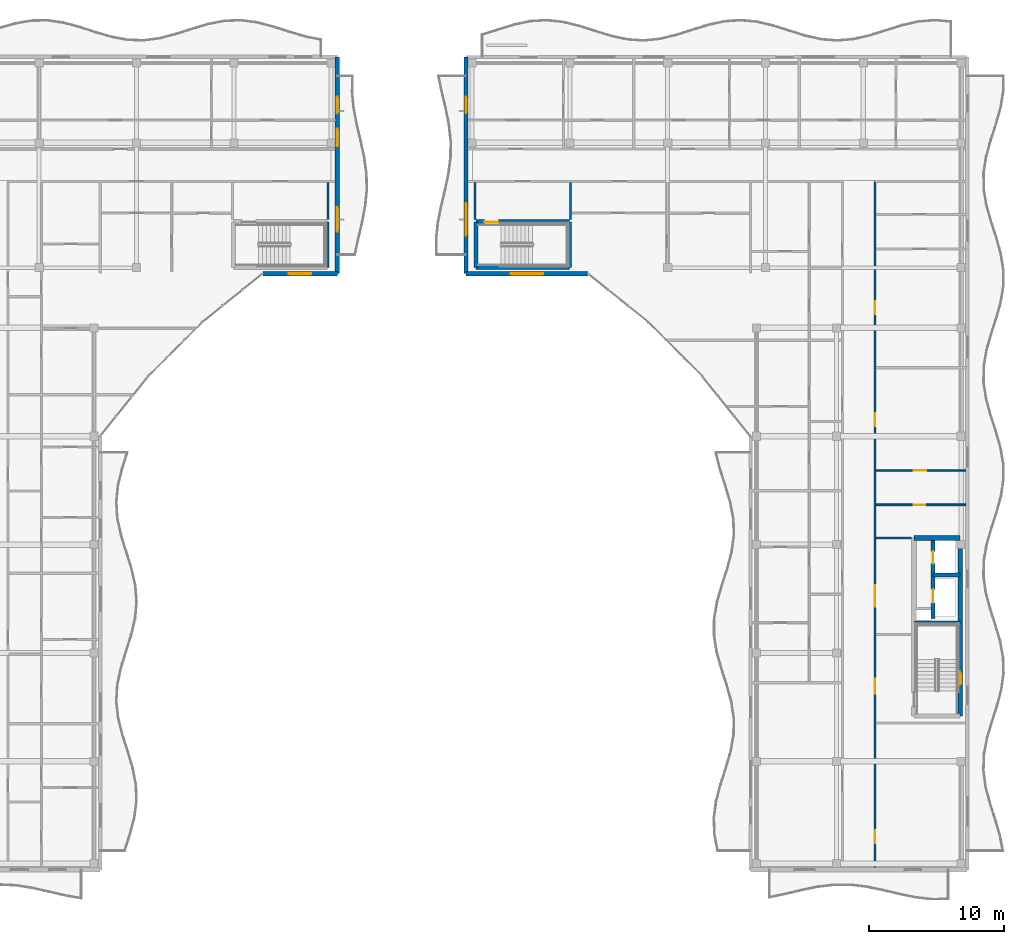
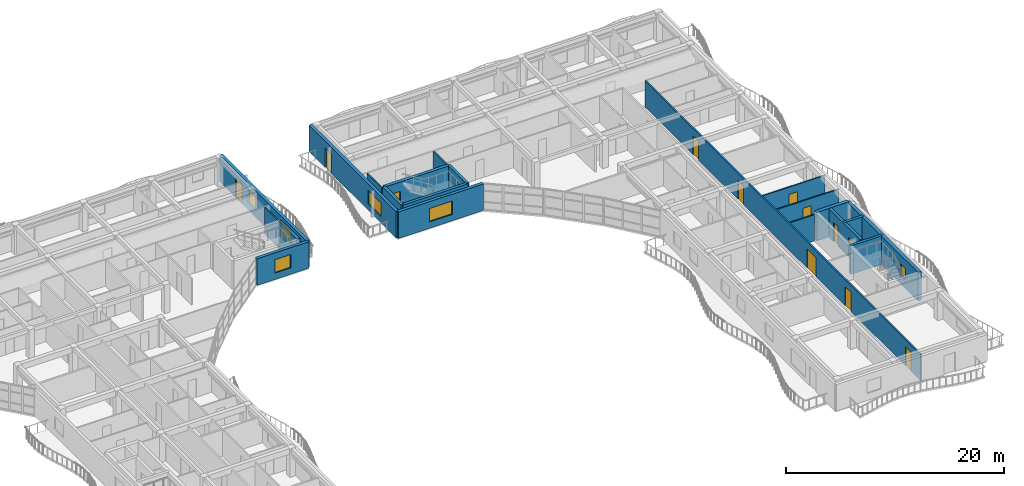
# One storey, part 43 of 71: 21 walls, 12 doors, 6 windows, 18 openings.
"""IFC4 building model written with IfcOpenShell, lengths in metres."""

from ifc_helpers import new_model, si_unit, direction, frame, frame_2d, origin, place, context, subcontext, project, spatial, rectangle, extrude, material, layer, layer_set, type_object, element, fill, save


model = new_model("IFC4")

# Units and contexts
model_context = context("Model", 3, precision=1e-05, world=origin(), true_north=direction((0.0, 1.0)))
body_context = subcontext(model_context, "Body", "Model", "MODEL_VIEW")
ifc_project = project(units=[si_unit("LENGTHUNIT", "METRE"), si_unit("AREAUNIT", "SQUARE_METRE"), si_unit("VOLUMEUNIT", "CUBIC_METRE"), si_unit("PLANEANGLEUNIT", "RADIAN"), si_unit("MASSUNIT", "GRAM", prefix="KILO")], contexts=[model_context])

# Site, building, storey
site_placement = place(None, origin())
site = spatial("IfcSite", under=ifc_project, at=site_placement, CompositionType="ELEMENT")
building_placement = place(site_placement, origin())
building = spatial("IfcBuilding", under=site, at=building_placement, Name="Keldmere Railside Commons", CompositionType="ELEMENT")
storey_placement = place(building_placement, frame((0.0, 0.0, 20.159912109375)))
storey = spatial("IfcBuildingStorey", under=building, at=storey_placement, Name="L06", CompositionType="ELEMENT", Elevation=20.159912109375)

# Wall, opening, door
ifc_material_1 = material(Name="Acoustic Gypsum Board Partition", Category="gypsum")
ifc_layer_1 = layer(ifc_material_1, 0.1201171875, Name="Apartment Interior Partition 120")
ifc_layer_set_1 = layer_set([ifc_layer_1], Name="Acoustic Gypsum Board Partition")
wall_type_1 = type_object("IfcWallType", Name="Apartment Interior Partition 120", PredefinedType="PARTITIONING", material=ifc_layer_set_1)
wall_1_placement = place(storey_placement, frame((177.280029296875, 85.47998046875, 0.0), z_axis=(0.0, 0.0, 1.0), x_axis=(1.0, 0.0, 0.0)))
wall_1 = element("IfcWall", 1, at=wall_1_placement, inside=storey, type_object=wall_type_1, Name="IW-4 IW-L06-1676", PredefinedType="PARTITIONING", context=body_context, shape_type="SweptSolid", body=[
    extrude(rectangle(XDim=6.599853515625, YDim=0.1201171875, at=frame_2d((3.2998046875, 0.0))), origin(), (0.0, 0.0, 1.0), 2.93505859375),
])
opening_1_placement = place(wall_1_placement, frame((2.77197265625, 0.0, 0.0)))
opening_1 = element("IfcOpeningElement", 2, at=opening_1_placement, cuts=wall_1, Name="Opening ID-03", PredefinedType="OPENING", context=body_context, shape_type="SweptSolid", body=[
    extrude(rectangle(XDim=0.919921875, YDim=2.10009765625, at=frame_2d((0.4599609375, 1.050048828125))), frame((0.0, 0.070068359375, 0.0), z_axis=(0.0, -1.0, 0.0), x_axis=(1.0, 0.0, 0.0)), (0.0, 0.0, 1.0), 0.14013671875),
])
ifc_material_2 = material(Name="Engineered Oak Timber", Category="wood")
door_type_1 = type_object("IfcDoorType", Name="Kitchen Pocket-Frame Swing Door 920x2100", OperationType="NOTDEFINED", PredefinedType="DOOR", material=ifc_material_2)
door_1_placement = place(opening_1_placement, origin())
door_1 = element("IfcDoor", 3, at=door_1_placement, inside=storey, type_object=door_type_1, Name="ID-03 IDR-L06-1525", OperationType="SINGLE_SWING_LEFT", OverallHeight=2.10009765625, OverallWidth=0.919921875, PredefinedType="DOOR", context=body_context, shape_type="SweptSolid", body=[
    extrude(rectangle(XDim=0.919921875, YDim=2.10009765625, at=frame_2d((0.4599609375, 1.050048828125))), frame((0.0, 0.02490234375, 0.0), z_axis=(0.0, -1.0, 0.0), x_axis=(1.0, 0.0, 0.0)), (0.0, 0.0, 1.0), 0.050048828125),
])
fill(opening_1, door_1)

# Walls
ifc_material_3 = material(Name="Concrete H-35 (C35/45)", Category="concrete")
ifc_layer_2 = layer(ifc_material_3, 0.280029296875, Name="Core Shear Wall 280")
ifc_layer_set_2 = layer_set([ifc_layer_2], Name="Concrete H-35 (C35/45)")
wall_type_2 = type_object("IfcWallType", Name="Core Shear Wall 280", PredefinedType="SHEAR", material=ifc_layer_set_2)
wall_2_placement = place(storey_placement, frame((180.06005859375, 74.239990234375, 0.0), z_axis=(0.0, 0.0, 1.0), x_axis=(1.0, 0.0, 0.0)))
element("IfcWall", 4, at=wall_2_placement, inside=storey, type_object=wall_type_2, Name="CSW-2 COREAM-L06-0784", PredefinedType="SHEAR", context=body_context, shape_type="SweptSolid", body=[
    extrude(rectangle(XDim=3.409912109375, YDim=0.280029296875, at=frame_2d((1.705078125, 0.0))), origin(), (0.0, 0.0, 1.0), 3.2001953125),
])
wall_3_placement = place(storey_placement, frame((181.469970703125, 77.75, 0.0), z_axis=(0.0, 0.0, 1.0), x_axis=(1.0, 0.0, 0.0)))
element("IfcWall", 5, at=wall_3_placement, inside=storey, type_object=wall_type_2, Name="CSW-2 COREAL-L06-0785", PredefinedType="SHEAR", context=body_context, shape_type="SweptSolid", body=[
    extrude(rectangle(XDim=2.0, YDim=0.280029296875, at=frame_2d((1.0, 0.0))), origin(), (0.0, 0.0, 1.0), 3.2001953125),
])

# Wall, openings, doors
wall_4_placement = place(storey_placement, frame((181.469970703125, 74.550048828125, 0.0), z_axis=(0.0, 0.0, 1.0), x_axis=(0.0, 1.0, 0.0)))
wall_4 = element("IfcWall", 6, at=wall_4_placement, inside=storey, type_object=wall_type_2, Name="CSW-2 LSHA-L06-0786", PredefinedType="SHEAR", context=body_context, shape_type="SweptSolid", body=[
    extrude(rectangle(XDim=5.949951171875, YDim=0.280029296875, at=frame_2d((2.97509765625, 0.0))), origin(), (0.0, 0.0, 1.0), 3.2001953125),
])
opening_2_placement = place(wall_4_placement, frame((1.14990234375, 0.0, 0.0)))
opening_2 = element("IfcOpeningElement", 7, at=opening_2_placement, cuts=wall_4, Name="Opening LD-1", PredefinedType="OPENING", context=body_context, shape_type="SweptSolid", body=[
    extrude(rectangle(XDim=1.0, YDim=2.14990234375, at=frame_2d((0.5, 1.074951171875))), frame((0.0, 0.14990234375, 0.0), z_axis=(0.0, -1.0, 0.0), x_axis=(1.0, 0.0, 0.0)), (0.0, 0.0, 1.0), 0.300048828125),
])
opening_3_placement = place(wall_4_placement, frame((4.050048828125, 0.0, 0.0)))
opening_3 = element("IfcOpeningElement", 8, at=opening_3_placement, cuts=wall_4, Name="Opening LD-2", PredefinedType="OPENING", context=body_context, shape_type="SweptSolid", body=[
    extrude(rectangle(XDim=0.89990234375, YDim=2.14990234375, at=frame_2d((0.449951171875, 1.074951171875))), frame((0.0, 0.14990234375, 0.0), z_axis=(0.0, -1.0, 0.0), x_axis=(1.0, 0.0, 0.0)), (0.0, 0.0, 1.0), 0.300048828125),
])
ifc_material_4 = material(Name="Steel F-24 (S235)", Category="steel")
door_type_2 = type_object("IfcDoorType", Name="Firefighting Stretcher Lift Landing Door 1000x2150", OperationType="SLIDING_TO_LEFT", PredefinedType="DOOR", material=ifc_material_4)
door_2_placement = place(opening_2_placement, origin())
door_2 = element("IfcDoor", 9, at=door_2_placement, inside=storey, type_object=door_type_2, Name="LD-1 A L06", OperationType="SLIDING_TO_LEFT", OverallHeight=2.14990234375, OverallWidth=1.0, PredefinedType="DOOR", context=body_context, shape_type="SweptSolid", body=[
    extrude(rectangle(XDim=1.0, YDim=2.14990234375, at=frame_2d((0.5, 1.074951171875))), frame((0.0, 0.02490234375, 0.0), z_axis=(0.0, -1.0, 0.0), x_axis=(1.0, 0.0, 0.0)), (0.0, 0.0, 1.0), 0.050048828125),
])
fill(opening_2, door_2)
door_type_3 = type_object("IfcDoorType", Name="Passenger Lift Sliding Landing Door 900x2150", OperationType="SLIDING_TO_RIGHT", PredefinedType="DOOR", material=ifc_material_4)
door_3_placement = place(opening_3_placement, origin())
door_3 = element("IfcDoor", 10, at=door_3_placement, inside=storey, type_object=door_type_3, Name="LD-2 A L06", OperationType="SLIDING_TO_RIGHT", OverallHeight=2.14990234375, OverallWidth=0.89990234375, PredefinedType="DOOR", context=body_context, shape_type="SweptSolid", body=[
    extrude(rectangle(XDim=0.89990234375, YDim=2.14990234375, at=frame_2d((0.449951171875, 1.074951171875))), frame((0.0, 0.02490234375, 0.0), z_axis=(0.0, -1.0, 0.0), x_axis=(1.0, 0.0, 0.0)), (0.0, 0.0, 1.0), 0.050048828125),
])
fill(opening_3, door_3)

# Wall
ifc_material_5 = material(Name="Concrete H-40 (C40/50)", Category="concrete")
ifc_layer_3 = layer(ifc_material_5, 0.3798828125, Name="Core Shear Wall 380")
ifc_layer_set_3 = layer_set([ifc_layer_3], Name="Concrete H-40 (C40/50)")
wall_type_3 = type_object("IfcWallType", Name="Core Shear Wall 380", PredefinedType="SHEAR", material=ifc_layer_set_3)
wall_5_placement = place(storey_placement, frame((180.06005859375, 80.5, 0.0), z_axis=(0.0, 0.0, 1.0), x_axis=(1.0, 0.0, 0.0)))
element("IfcWall", 11, at=wall_5_placement, inside=storey, type_object=wall_type_3, Name="CW-CORE COREAN-L06-0781", PredefinedType="SHEAR", context=body_context, shape_type="SweptSolid", body=[
    extrude(rectangle(XDim=3.409912109375, YDim=0.3798828125, at=frame_2d((1.705078125, 0.0))), origin(), (0.0, 0.0, 1.0), 3.2001953125),
])

# Wall, openings, doors
ifc_layer_4 = layer(ifc_material_1, 0.159912109375, Name="Corridor Fire Partition 160")
ifc_layer_set_4 = layer_set([ifc_layer_4], Name="Acoustic Gypsum Board Partition")
wall_type_4 = type_object("IfcWallType", Name="Corridor Fire Partition 160", PredefinedType="PARTITIONING", material=ifc_layer_set_4)
wall_6_placement = place(storey_placement, frame((177.199951171875, 56.159912109375, 0.0), z_axis=(0.0, 0.0, 1.0), x_axis=(0.0, 1.0, 0.0)))
wall_6 = element("IfcWall", 12, at=wall_6_placement, inside=storey, type_object=wall_type_4, Name="IW-2 IW-L06-1640", PredefinedType="PARTITIONING", context=body_context, shape_type="SweptSolid", body=[
    extrude(rectangle(XDim=50.64013671875, YDim=0.159912109375, at=frame_2d((25.320068359375, 0.0))), origin(), (0.0, 0.0, 1.0), 2.93505859375),
])
opening_4_placement = place(wall_6_placement, frame((12.840087890625, 0.0, 0.0)))
opening_4 = element("IfcOpeningElement", 13, at=opening_4_placement, cuts=wall_6, Name="Opening FD-2", PredefinedType="OPENING", context=body_context, shape_type="SweptSolid", body=[
    extrude(rectangle(XDim=1.10009765625, YDim=2.14990234375, at=frame_2d((0.550048828125, 1.074951171875))), frame((0.0, 0.08984375, 0.0), z_axis=(0.0, -1.0, 0.0), x_axis=(1.0, 0.0, 0.0)), (0.0, 0.0, 1.0), 0.179931640625),
])
opening_5_placement = place(wall_6_placement, frame((19.239990234375, 0.0, 0.0)))
opening_5 = element("IfcOpeningElement", 14, at=opening_5_placement, cuts=wall_6, Name="Opening FD-4", PredefinedType="OPENING", context=body_context, shape_type="SweptSolid", body=[
    extrude(rectangle(XDim=1.60009765625, YDim=2.14990234375, at=frame_2d((0.800048828125, 1.074951171875))), frame((0.0, 0.08984375, 0.0), z_axis=(0.0, -1.0, 0.0), x_axis=(1.0, 0.0, 0.0)), (0.0, 0.0, 1.0), 0.179931640625),
])
opening_6_placement = place(wall_6_placement, frame((1.800048828125, 0.0, 0.0)))
opening_6 = element("IfcOpeningElement", 15, at=opening_6_placement, cuts=wall_6, Name="Opening ID-08", PredefinedType="OPENING", context=body_context, shape_type="SweptSolid", body=[
    extrude(rectangle(XDim=0.9599609375, YDim=2.14990234375, at=frame_2d((0.47998046875, 1.074951171875))), frame((0.0, 0.08984375, 0.0), z_axis=(0.0, -1.0, 0.0), x_axis=(1.0, 0.0, 0.0)), (0.0, 0.0, 1.0), 0.179931640625),
])
opening_7_placement = place(wall_6_placement, frame((32.570068359375, 0.0, 0.0)))
opening_7 = element("IfcOpeningElement", 16, at=opening_7_placement, cuts=wall_6, Name="Opening FD-7", PredefinedType="OPENING", context=body_context, shape_type="SweptSolid", body=[
    extrude(rectangle(XDim=0.97998046875, YDim=2.14990234375, at=frame_2d((0.489990234375, 1.074951171875))), frame((0.0, 0.08984375, 0.0), z_axis=(0.0, -1.0, 0.0), x_axis=(1.0, 0.0, 0.0)), (0.0, 0.0, 1.0), 0.179931640625),
])
opening_8_placement = place(wall_6_placement, frame((40.830078125, 0.0, 0.0)))
opening_8 = element("IfcOpeningElement", 17, at=opening_8_placement, cuts=wall_6, Name="Opening FD-7", PredefinedType="OPENING", context=body_context, shape_type="SweptSolid", body=[
    extrude(rectangle(XDim=0.97998046875, YDim=2.14990234375, at=frame_2d((0.489990234375, 1.074951171875))), frame((0.0, 0.08984375, 0.0), z_axis=(0.0, -1.0, 0.0), x_axis=(1.0, 0.0, 0.0)), (0.0, 0.0, 1.0), 0.179931640625),
])
door_type_4 = type_object("IfcDoorType", Name="Apartment Entrance Acoustic Fire Door 980x2150", OperationType="NOTDEFINED", PredefinedType="DOOR", material=ifc_material_2)
door_4_placement = place(opening_7_placement, origin())
door_4 = element("IfcDoor", 18, at=door_4_placement, inside=storey, type_object=door_type_4, Name="FD-7 IDR-L06-1526", OperationType="SINGLE_SWING_RIGHT", OverallHeight=2.14990234375, OverallWidth=0.97998046875, PredefinedType="DOOR", context=body_context, shape_type="SweptSolid", body=[
    extrude(rectangle(XDim=0.97998046875, YDim=2.14990234375, at=frame_2d((0.489990234375, 1.074951171875))), frame((0.0, 0.02490234375, 0.0), z_axis=(0.0, -1.0, 0.0), x_axis=(1.0, 0.0, 0.0)), (0.0, 0.0, 1.0), 0.050048828125),
])
fill(opening_7, door_4)
door_5_placement = place(opening_8_placement, origin())
door_5 = element("IfcDoor", 19, at=door_5_placement, inside=storey, type_object=door_type_4, Name="FD-7 IDR-L06-1529", OperationType="SINGLE_SWING_LEFT", OverallHeight=2.14990234375, OverallWidth=0.97998046875, PredefinedType="DOOR", context=body_context, shape_type="SweptSolid", body=[
    extrude(rectangle(XDim=0.97998046875, YDim=2.14990234375, at=frame_2d((0.489990234375, 1.074951171875))), frame((0.0, 0.02490234375, 0.0), z_axis=(0.0, -1.0, 0.0), x_axis=(1.0, 0.0, 0.0)), (0.0, 0.0, 1.0), 0.050048828125),
])
fill(opening_8, door_5)
door_type_5 = type_object("IfcDoorType", Name="Corridor Cross-Compartment Double Fire Door 1600x2150", OperationType="DOUBLE_DOOR_SINGLE_SWING", PredefinedType="DOOR", material=ifc_material_4)
door_6_placement = place(opening_5_placement, origin())
door_6 = element("IfcDoor", 20, at=door_6_placement, inside=storey, type_object=door_type_5, Name="FD-4 IDR-L06-1489", OperationType="DOUBLE_DOOR_SINGLE_SWING", OverallHeight=2.14990234375, OverallWidth=1.60009765625, PredefinedType="DOOR", context=body_context, shape_type="SweptSolid", body=[
    extrude(rectangle(XDim=1.60009765625, YDim=2.14990234375, at=frame_2d((0.800048828125, 1.074951171875))), frame((0.0, 0.02490234375, 0.0), z_axis=(0.0, -1.0, 0.0), x_axis=(1.0, 0.0, 0.0)), (0.0, 0.0, 1.0), 0.050048828125),
])
fill(opening_5, door_6)
door_type_6 = type_object("IfcDoorType", Name="Firefighting Lobby Fire Door 1100x2150", OperationType="NOTDEFINED", PredefinedType="DOOR", material=ifc_material_4)
door_7_placement = place(opening_4_placement, origin())
door_7 = element("IfcDoor", 21, at=door_7_placement, inside=storey, type_object=door_type_6, Name="FD-2 IDR-L06-1488", OperationType="SINGLE_SWING_RIGHT", OverallHeight=2.14990234375, OverallWidth=1.10009765625, PredefinedType="DOOR", context=body_context, shape_type="SweptSolid", body=[
    extrude(rectangle(XDim=1.10009765625, YDim=2.14990234375, at=frame_2d((0.550048828125, 1.074951171875))), frame((0.0, 0.02490234375, 0.0), z_axis=(0.0, -1.0, 0.0), x_axis=(1.0, 0.0, 0.0)), (0.0, 0.0, 1.0), 0.050048828125),
])
fill(opening_4, door_7)
door_type_7 = type_object("IfcDoorType", Name="Study & Meeting Room Door 960x2150", OperationType="NOTDEFINED", PredefinedType="DOOR", material=ifc_material_2)
door_8_placement = place(opening_6_placement, origin())
door_8 = element("IfcDoor", 22, at=door_8_placement, inside=storey, type_object=door_type_7, Name="ID-08 IDR-L06-1523", OperationType="SINGLE_SWING_LEFT", OverallHeight=2.14990234375, OverallWidth=0.9599609375, PredefinedType="DOOR", context=body_context, shape_type="SweptSolid", body=[
    extrude(rectangle(XDim=0.9599609375, YDim=2.14990234375, at=frame_2d((0.47998046875, 1.074951171875))), frame((0.0, 0.02490234375, 0.0), z_axis=(0.0, -1.0, 0.0), x_axis=(1.0, 0.0, 0.0)), (0.0, 0.0, 1.0), 0.050048828125),
])
fill(opening_6, door_8)

# Wall, opening, window
ifc_layer_5 = layer(ifc_material_3, 0.320068359375, Name="Exterior Shear Wall 320")
ifc_layer_set_5 = layer_set([ifc_layer_5], Name="Concrete H-35 (C35/45)")
wall_type_5 = type_object("IfcWallType", Name="Exterior Shear Wall 320", PredefinedType="SHEAR", material=ifc_layer_set_5)
wall_7_placement = place(storey_placement, frame((137.5, 100.0, 0.0), z_axis=(0.0, 0.0, 1.0), x_axis=(-1.0, 0.0, 0.0)))
wall_7 = element("IfcWall", 23, at=wall_7_placement, inside=storey, type_object=wall_type_5, Name="ESW-2 EXTB-L06-0631", PredefinedType="SHEAR", context=body_context, shape_type="SweptSolid", body=[
    extrude(rectangle(XDim=5.5, YDim=0.320068359375, at=frame_2d((2.75, 0.0))), origin(), (0.0, 0.0, 1.0), 2.97998046875),
])
opening_9_placement = place(wall_7_placement, frame((1.909912109375, 0.0, 0.719970703125)))
opening_9 = element("IfcOpeningElement", 24, at=opening_9_placement, cuts=wall_7, Name="Opening WN-40", PredefinedType="OPENING", context=body_context, shape_type="SweptSolid", body=[
    extrude(rectangle(XDim=1.679931640625, YDim=1.5, at=frame_2d((0.83984375, 0.75))), frame((0.0, 0.169921875, 0.0), z_axis=(0.0, -1.0, 0.0), x_axis=(1.0, 0.0, 0.0)), (0.0, 0.0, 1.0), 0.340087890625),
])
ifc_material_6 = material(Name="Low-E Insulated Double Glazing", Category="glass")
window_type_1 = type_object("IfcWindowType", Name="Two-Bed Dining Casement Window 1680x1500", PartitioningType="SINGLE_PANEL", PredefinedType="WINDOW", material=ifc_material_6)
window_1_placement = place(opening_9_placement, origin())
window_1 = element("IfcWindow", 25, at=window_1_placement, inside=storey, type_object=window_type_1, Name="WN-40 WIN-L06-0460", OverallHeight=1.5, OverallWidth=1.679931640625, PartitioningType="SINGLE_PANEL", PredefinedType="WINDOW", context=body_context, shape_type="SweptSolid", body=[
    extrude(rectangle(XDim=1.679931640625, YDim=1.5, at=frame_2d((0.83984375, 0.75))), frame((0.0, 0.030029296875, 0.0), z_axis=(0.0, -1.0, 0.0), x_axis=(1.0, 0.0, 0.0)), (0.0, 0.0, 1.0), 0.06005859375),
])
fill(opening_9, window_1)

# Wall, openings, door, windows
wall_8_placement = place(storey_placement, frame((137.5, 116.0, 0.0), z_axis=(0.0, 0.0, 1.0), x_axis=(0.0, -1.0, 0.0)))
wall_8 = element("IfcWall", 26, at=wall_8_placement, inside=storey, type_object=wall_type_5, Name="ESW-2 EXTB-L06-0632", PredefinedType="SHEAR", context=body_context, shape_type="SweptSolid", body=[
    extrude(rectangle(XDim=16.0, YDim=0.320068359375, at=frame_2d((8.0, 0.0))), origin(), (0.0, 0.0, 1.0), 2.97998046875),
])
opening_10_placement = place(wall_8_placement, frame((2.949951171875, 0.0, 0.0)))
opening_10 = element("IfcOpeningElement", 27, at=opening_10_placement, cuts=wall_8, Name="Opening BD-01", PredefinedType="OPENING", context=body_context, shape_type="SweptSolid", body=[
    extrude(rectangle(XDim=1.199951171875, YDim=2.199951171875, at=frame_2d((0.60009765625, 1.10009765625))), frame((0.0, 0.169921875, 0.0), z_axis=(0.0, -1.0, 0.0), x_axis=(1.0, 0.0, 0.0)), (0.0, 0.0, 1.0), 0.340087890625),
])
opening_11_placement = place(wall_8_placement, frame((5.300048828125, 0.0, 0.820068359375)))
opening_11 = element("IfcOpeningElement", 28, at=opening_11_placement, cuts=wall_8, Name="Opening WN-10", PredefinedType="OPENING", context=body_context, shape_type="SweptSolid", body=[
    extrude(rectangle(XDim=1.300048828125, YDim=1.39990234375, at=frame_2d((0.64990234375, 0.699951171875))), frame((0.0, 0.169921875, 0.0), z_axis=(0.0, -1.0, 0.0), x_axis=(1.0, 0.0, 0.0)), (0.0, 0.0, 1.0), 0.340087890625),
])
opening_12_placement = place(wall_8_placement, frame((11.10009765625, 0.0, 0.719970703125)))
opening_12 = element("IfcOpeningElement", 29, at=opening_12_placement, cuts=wall_8, Name="Opening WN-01", PredefinedType="OPENING", context=body_context, shape_type="SweptSolid", body=[
    extrude(rectangle(XDim=1.800048828125, YDim=1.5, at=frame_2d((0.89990234375, 0.75))), frame((0.0, 0.169921875, 0.0), z_axis=(0.0, -1.0, 0.0), x_axis=(1.0, 0.0, 0.0)), (0.0, 0.0, 1.0), 0.340087890625),
])
ifc_material_7 = material(Name="Thermally Broken Aluminium", Category="aluminium")
door_type_8 = type_object("IfcDoorType", Name="Apartment Living Wave-Balcony Glazed Door 1200x2200", OperationType="NOTDEFINED", PredefinedType="DOOR", material=ifc_material_7)
door_9_placement = place(opening_10_placement, origin())
door_9 = element("IfcDoor", 30, at=door_9_placement, inside=storey, type_object=door_type_8, Name="BD-01 DR-L06-0170", OperationType="SINGLE_SWING_RIGHT", OverallHeight=2.199951171875, OverallWidth=1.199951171875, PredefinedType="DOOR", context=body_context, shape_type="SweptSolid", body=[
    extrude(rectangle(XDim=1.199951171875, YDim=2.199951171875, at=frame_2d((0.60009765625, 1.10009765625))), frame((0.0, 0.02490234375, 0.0), z_axis=(0.0, -1.0, 0.0), x_axis=(1.0, 0.0, 0.0)), (0.0, 0.0, 1.0), 0.050048828125),
])
fill(opening_10, door_9)
window_type_2 = type_object("IfcWindowType", Name="Living Room North Casement Window 1800x1500", PartitioningType="SINGLE_PANEL", PredefinedType="WINDOW", material=ifc_material_6)
window_2_placement = place(opening_12_placement, origin())
window_2 = element("IfcWindow", 31, at=window_2_placement, inside=storey, type_object=window_type_2, Name="WN-01 WIN-L06-0462", OverallHeight=1.5, OverallWidth=1.800048828125, PartitioningType="SINGLE_PANEL", PredefinedType="WINDOW", context=body_context, shape_type="SweptSolid", body=[
    extrude(rectangle(XDim=1.800048828125, YDim=1.5, at=frame_2d((0.89990234375, 0.75))), frame((0.0, 0.030029296875, 0.0), z_axis=(0.0, -1.0, 0.0), x_axis=(1.0, 0.0, 0.0)), (0.0, 0.0, 1.0), 0.06005859375),
])
fill(opening_12, window_2)
window_type_3 = type_object("IfcWindowType", Name="Secondary Bedroom Court Window 1300x1400", PartitioningType="SINGLE_PANEL", PredefinedType="WINDOW", material=ifc_material_6)
window_3_placement = place(opening_11_placement, origin())
window_3 = element("IfcWindow", 32, at=window_3_placement, inside=storey, type_object=window_type_3, Name="WN-10 WIN-L06-0461", OverallHeight=1.39990234375, OverallWidth=1.300048828125, PartitioningType="SINGLE_PANEL", PredefinedType="WINDOW", context=body_context, shape_type="SweptSolid", body=[
    extrude(rectangle(XDim=1.300048828125, YDim=1.39990234375, at=frame_2d((0.64990234375, 0.699951171875))), frame((0.0, 0.030029296875, 0.0), z_axis=(0.0, -1.0, 0.0), x_axis=(1.0, 0.0, 0.0)), (0.0, 0.0, 1.0), 0.06005859375),
])
fill(opening_11, window_3)

# Wall, openings, door, window
wall_9_placement = place(storey_placement, frame((147.0, 100.0, 0.0), z_axis=(0.0, 0.0, 1.0), x_axis=(0.0, 1.0, 0.0)))
wall_9 = element("IfcWall", 33, at=wall_9_placement, inside=storey, type_object=wall_type_5, Name="ESW-2 EXTA-L06-0920", PredefinedType="SHEAR", context=body_context, shape_type="SweptSolid", body=[
    extrude(rectangle(XDim=16.0, YDim=0.320068359375, at=frame_2d((8.0, 0.0))), origin(), (0.0, 0.0, 1.0), 2.97998046875),
])
opening_13_placement = place(wall_9_placement, frame((2.800048828125, 0.0, 0.719970703125)))
opening_13 = element("IfcOpeningElement", 34, at=opening_13_placement, cuts=wall_9, Name="Opening WN-05", PredefinedType="OPENING", context=body_context, shape_type="SweptSolid", body=[
    extrude(rectangle(XDim=2.39990234375, YDim=1.5, at=frame_2d((1.199951171875, 0.75))), frame((0.0, 0.169921875, 0.0), z_axis=(0.0, -1.0, 0.0), x_axis=(1.0, 0.0, 0.0)), (0.0, 0.0, 1.0), 0.340087890625),
])
opening_14_placement = place(wall_9_placement, frame((11.85009765625, 0.0, 0.0)))
opening_14 = element("IfcOpeningElement", 35, at=opening_14_placement, cuts=wall_9, Name="Opening BD-01", PredefinedType="OPENING", context=body_context, shape_type="SweptSolid", body=[
    extrude(rectangle(XDim=1.199951171875, YDim=2.199951171875, at=frame_2d((0.60009765625, 1.10009765625))), frame((0.0, 0.169921875, 0.0), z_axis=(0.0, -1.0, 0.0), x_axis=(1.0, 0.0, 0.0)), (0.0, 0.0, 1.0), 0.340087890625),
])
door_10_placement = place(opening_14_placement, origin())
door_10 = element("IfcDoor", 36, at=door_10_placement, inside=storey, type_object=door_type_8, Name="BD-01 DR-L06-0254", OperationType="SINGLE_SWING_RIGHT", OverallHeight=2.199951171875, OverallWidth=1.199951171875, PredefinedType="DOOR", context=body_context, shape_type="SweptSolid", body=[
    extrude(rectangle(XDim=1.199951171875, YDim=2.199951171875, at=frame_2d((0.60009765625, 1.10009765625))), frame((0.0, 0.02490234375, 0.0), z_axis=(0.0, -1.0, 0.0), x_axis=(1.0, 0.0, 0.0)), (0.0, 0.0, 1.0), 0.050048828125),
])
fill(opening_14, door_10)
window_type_4 = type_object("IfcWindowType", Name="Corner Dual-Aspect Ribbon Window 2400x1500", PartitioningType="SINGLE_PANEL", PredefinedType="WINDOW", material=ifc_material_6)
window_4_placement = place(opening_13_placement, origin())
window_4 = element("IfcWindow", 37, at=window_4_placement, inside=storey, type_object=window_type_4, Name="WN-05 WIN-L06-0695", OverallHeight=1.5, OverallWidth=2.39990234375, PartitioningType="SINGLE_PANEL", PredefinedType="WINDOW", context=body_context, shape_type="SweptSolid", body=[
    extrude(rectangle(XDim=2.39990234375, YDim=1.5, at=frame_2d((1.199951171875, 0.75))), frame((0.0, 0.030029296875, 0.0), z_axis=(0.0, -1.0, 0.0), x_axis=(1.0, 0.0, 0.0)), (0.0, 0.0, 1.0), 0.06005859375),
])
fill(opening_13, window_4)

# Wall, opening, window
wall_10_placement = place(storey_placement, frame((156.0, 100.0, 0.0), z_axis=(0.0, 0.0, 1.0), x_axis=(-1.0, 0.0, 0.0)))
wall_10 = element("IfcWall", 38, at=wall_10_placement, inside=storey, type_object=wall_type_5, Name="ESW-2 EXTA-L06-0921", PredefinedType="SHEAR", context=body_context, shape_type="SweptSolid", body=[
    extrude(rectangle(XDim=9.0, YDim=0.320068359375, at=frame_2d((4.5, 0.0))), origin(), (0.0, 0.0, 1.0), 2.97998046875),
])
opening_15_placement = place(wall_10_placement, frame((3.300048828125, 0.0, 0.719970703125)))
opening_15 = element("IfcOpeningElement", 39, at=opening_15_placement, cuts=wall_10, Name="Opening WN-05", PredefinedType="OPENING", context=body_context, shape_type="SweptSolid", body=[
    extrude(rectangle(XDim=2.39990234375, YDim=1.5, at=frame_2d((1.199951171875, 0.75))), frame((0.0, 0.169921875, 0.0), z_axis=(0.0, -1.0, 0.0), x_axis=(1.0, 0.0, 0.0)), (0.0, 0.0, 1.0), 0.340087890625),
])
window_5_placement = place(opening_15_placement, origin())
window_5 = element("IfcWindow", 40, at=window_5_placement, inside=storey, type_object=window_type_4, Name="WN-05 WIN-L06-0696", OverallHeight=1.5, OverallWidth=2.39990234375, PartitioningType="SINGLE_PANEL", PredefinedType="WINDOW", context=body_context, shape_type="SweptSolid", body=[
    extrude(rectangle(XDim=2.39990234375, YDim=1.5, at=frame_2d((1.199951171875, 0.75))), frame((0.0, 0.030029296875, 0.0), z_axis=(0.0, -1.0, 0.0), x_axis=(1.0, 0.0, 0.0)), (0.0, 0.0, 1.0), 0.06005859375),
])
fill(opening_15, window_5)

# Walls
ifc_layer_6 = layer(ifc_material_3, 0.300048828125, Name="Interior Shear Wall 300")
ifc_layer_set_6 = layer_set([ifc_layer_6], Name="Concrete H-35 (C35/45)")
wall_type_6 = type_object("IfcWallType", Name="Interior Shear Wall 300", PredefinedType="SHEAR", material=ifc_layer_set_6)
wall_11_placement = place(storey_placement, frame((136.75, 100.449951171875, 0.0), z_axis=(0.0, 0.0, 1.0), x_axis=(0.0, 1.0, 0.0)))
element("IfcWall", 41, at=wall_11_placement, inside=storey, type_object=wall_type_6, Name="ISW-2 COREB2E-L06-0515", PredefinedType="SHEAR", context=body_context, shape_type="SweptSolid", body=[
    extrude(rectangle(XDim=3.3701171875, YDim=0.300048828125, at=frame_2d((1.68505859375, 0.0))), origin(), (0.0, 0.0, 1.0), 3.2001953125),
])
wall_12_placement = place(storey_placement, frame((147.75, 100.449951171875, 0.0), z_axis=(0.0, 0.0, 1.0), x_axis=(1.0, 0.0, 0.0)))
element("IfcWall", 42, at=wall_12_placement, inside=storey, type_object=wall_type_6, Name="ISW-2 COREA2S-L06-0788", PredefinedType="SHEAR", context=body_context, shape_type="SweptSolid", body=[
    extrude(rectangle(XDim=6.89990234375, YDim=0.300048828125, at=frame_2d((3.449951171875, 0.0))), origin(), (0.0, 0.0, 1.0), 3.2001953125),
])
for number, where, z_axis, x_axis, name in (
    (43, (147.75, 103.820068359375, 0.0), (0.0, 0.0, 1.0), (0.0, -1.0, 0.0), "ISW-2 COREA2W-L06-0790"),
    (44, (154.64990234375, 100.449951171875, 0.0), (0.0, 0.0, 1.0), (0.0, 1.0, 0.0), "ISW-2 COREA2E-L06-0791"),
):
    element("IfcWall", number, at=place(storey_placement, frame(where, z_axis=z_axis, x_axis=x_axis)), inside=storey, type_object=wall_type_6, Name=name, PredefinedType="SHEAR", context=body_context, shape_type="SweptSolid", body=[
        extrude(rectangle(XDim=3.3701171875, YDim=0.300048828125, at=frame_2d((1.68505859375, 0.0))), origin(), (0.0, 0.0, 1.0), 3.2001953125),
    ])

# Wall, opening, window
ifc_layer_7 = layer(ifc_material_3, 0.340087890625, Name="Interior Shear Wall 340")
ifc_layer_set_7 = layer_set([ifc_layer_7], Name="Concrete H-35 (C35/45)")
wall_type_7 = type_object("IfcWallType", Name="Interior Shear Wall 340", PredefinedType="SHEAR", material=ifc_layer_set_7)
wall_13_placement = place(storey_placement, frame((183.469970703125, 80.5, 0.0), z_axis=(0.0, 0.0, 1.0), x_axis=(0.0, -1.0, 0.0)))
wall_13 = element("IfcWall", 45, at=wall_13_placement, inside=storey, type_object=wall_type_7, Name="ISW-1 COREAE-L06-0782", PredefinedType="SHEAR", context=body_context, shape_type="SweptSolid", body=[
    extrude(rectangle(XDim=13.14990234375, YDim=0.340087890625, at=frame_2d((6.574951171875, 0.0))), origin(), (0.0, 0.0, 1.0), 3.2001953125),
])
opening_16_placement = place(wall_13_placement, frame((9.89990234375, 0.0, 0.969970703125)))
opening_16 = element("IfcOpeningElement", 46, at=opening_16_placement, cuts=wall_13, Name="Opening WN-17", PredefinedType="OPENING", context=body_context, shape_type="SweptSolid", body=[
    extrude(rectangle(XDim=0.949951171875, YDim=1.25, at=frame_2d((0.47509765625, 0.625))), frame((0.0, 0.179931640625, 0.0), z_axis=(0.0, -1.0, 0.0), x_axis=(1.0, 0.0, 0.0)), (0.0, 0.0, 1.0), 0.360107421875),
])
window_type_5 = type_object("IfcWindowType", Name="Stair Core Natural Smoke-Vent Window 950x1250", PartitioningType="SINGLE_PANEL", PredefinedType="WINDOW", material=ifc_material_6)
window_6_placement = place(opening_16_placement, origin())
window_6 = element("IfcWindow", 47, at=window_6_placement, inside=storey, type_object=window_type_5, Name="WN-17 WIN-L06-0562", OverallHeight=1.25, OverallWidth=0.949951171875, PartitioningType="SINGLE_PANEL", PredefinedType="WINDOW", context=body_context, shape_type="SweptSolid", body=[
    extrude(rectangle(XDim=0.949951171875, YDim=1.25, at=frame_2d((0.47509765625, 0.625))), frame((0.0, 0.030029296875, 0.0), z_axis=(0.0, -1.0, 0.0), x_axis=(1.0, 0.0, 0.0)), (0.0, 0.0, 1.0), 0.06005859375),
])
fill(opening_16, window_6)

# Wall, opening, door
wall_14_placement = place(storey_placement, frame((154.64990234375, 103.820068359375, 0.0), z_axis=(0.0, 0.0, 1.0), x_axis=(-1.0, 0.0, 0.0)))
wall_14 = element("IfcWall", 48, at=wall_14_placement, inside=storey, type_object=wall_type_7, Name="ISW-1 COREA2N-L06-0789", PredefinedType="SHEAR", context=body_context, shape_type="SweptSolid", body=[
    extrude(rectangle(XDim=6.89990234375, YDim=0.340087890625, at=frame_2d((3.449951171875, 0.0))), origin(), (0.0, 0.0, 1.0), 3.2001953125),
])
opening_17_placement = place(wall_14_placement, frame((5.25, 0.0, 0.0)))
opening_17 = element("IfcOpeningElement", 49, at=opening_17_placement, cuts=wall_14, Name="Opening FD-1", PredefinedType="OPENING", context=body_context, shape_type="SweptSolid", body=[
    extrude(rectangle(XDim=1.050048828125, YDim=2.14990234375, at=frame_2d((0.52490234375, 1.074951171875))), frame((0.0, 0.179931640625, 0.0), z_axis=(0.0, -1.0, 0.0), x_axis=(1.0, 0.0, 0.0)), (0.0, 0.0, 1.0), 0.360107421875),
])
door_type_9 = type_object("IfcDoorType", Name="Stair Core Fire Door 1050x2150", OperationType="NOTDEFINED", PredefinedType="DOOR", material=ifc_material_4)
door_11_placement = place(opening_17_placement, origin())
door_11 = element("IfcDoor", 50, at=door_11_placement, inside=storey, type_object=door_type_9, Name="FD-1 A2 L06", OperationType="SINGLE_SWING_RIGHT", OverallHeight=2.14990234375, OverallWidth=1.050048828125, PredefinedType="DOOR", context=body_context, shape_type="SweptSolid", body=[
    extrude(rectangle(XDim=1.050048828125, YDim=2.14990234375, at=frame_2d((0.52490234375, 1.074951171875))), frame((0.0, 0.02490234375, 0.0), z_axis=(0.0, -1.0, 0.0), x_axis=(1.0, 0.0, 0.0)), (0.0, 0.0, 1.0), 0.050048828125),
])
fill(opening_17, door_11)

# Walls
ifc_layer_8 = layer(ifc_material_1, 0.14990234375, Name="Lobby Rated Partition 150")
ifc_layer_set_8 = layer_set([ifc_layer_8], Name="Acoustic Gypsum Board Partition")
wall_type_8 = type_object("IfcWallType", Name="Lobby Rated Partition 150", PredefinedType="PARTITIONING", material=ifc_layer_set_8)
wall_15_placement = place(storey_placement, frame((136.820068359375, 103.989990234375, 0.0), z_axis=(0.0, 0.0, 1.0), x_axis=(0.0, 1.0, 0.0)))
element("IfcWall", 51, at=wall_15_placement, inside=storey, type_object=wall_type_8, Name="IW-3 IW-L06-1151", PredefinedType="PARTITIONING", context=body_context, shape_type="SweptSolid", body=[
    extrude(rectangle(XDim=2.72998046875, YDim=0.14990234375, at=frame_2d((1.364990234375, 0.0))), origin(), (0.0, 0.0, 1.0), 2.93505859375),
])
wall_16_placement = place(storey_placement, frame((177.280029296875, 80.5, 0.0), z_axis=(0.0, 0.0, 1.0), x_axis=(1.0, 0.0, 0.0)))
element("IfcWall", 52, at=wall_16_placement, inside=storey, type_object=wall_type_8, Name="IW-3 IW-L06-1638", PredefinedType="PARTITIONING", context=body_context, shape_type="SweptSolid", body=[
    extrude(rectangle(XDim=2.590087890625, YDim=0.14990234375, at=frame_2d((1.294921875, 0.0))), origin(), (0.0, 0.0, 1.0), 2.93505859375),
])
for number, where, z_axis, x_axis, name in (
    (53, (147.679931640625, 103.989990234375, 0.0), (0.0, 0.0, 1.0), (0.0, 1.0, 0.0), "IW-3 IW-L06-1645"),
    (54, (154.719970703125, 103.989990234375, 0.0), (0.0, 0.0, 1.0), (0.0, 1.0, 0.0), "IW-3 IW-L06-1646"),
):
    element("IfcWall", number, at=place(storey_placement, frame(where, z_axis=z_axis, x_axis=x_axis)), inside=storey, type_object=wall_type_8, Name=name, PredefinedType="PARTITIONING", context=body_context, shape_type="SweptSolid", body=[
        extrude(rectangle(XDim=2.72998046875, YDim=0.14990234375, at=frame_2d((1.364990234375, 0.0))), origin(), (0.0, 0.0, 1.0), 2.93505859375),
    ])

# Wall, opening, door
ifc_layer_9 = layer(ifc_material_1, 0.139892578125, Name="Wet-Room Sanitary Partition 140")
ifc_layer_set_9 = layer_set([ifc_layer_9], Name="Acoustic Gypsum Board Partition")
wall_type_9 = type_object("IfcWallType", Name="Wet-Room Sanitary Partition 140", PredefinedType="PARTITIONING", material=ifc_layer_set_9)
wall_17_placement = place(storey_placement, frame((177.280029296875, 82.929931640625, 0.0), z_axis=(0.0, 0.0, 1.0), x_axis=(1.0, 0.0, 0.0)))
wall_17 = element("IfcWall", 55, at=wall_17_placement, inside=storey, type_object=wall_type_9, Name="IW-5 IW-L06-1675", PredefinedType="PARTITIONING", context=body_context, shape_type="SweptSolid", body=[
    extrude(rectangle(XDim=6.599853515625, YDim=0.139892578125, at=frame_2d((3.2998046875, 0.0))), origin(), (0.0, 0.0, 1.0), 2.93505859375),
])
opening_18_placement = place(wall_17_placement, frame((2.77197265625, 0.0, 0.0)))
opening_18 = element("IfcOpeningElement", 56, at=opening_18_placement, cuts=wall_17, Name="Opening ID-04", PredefinedType="OPENING", context=body_context, shape_type="SweptSolid", body=[
    extrude(rectangle(XDim=0.860107421875, YDim=2.10009765625, at=frame_2d((0.43017578125, 1.050048828125))), frame((0.0, 0.079833984375, 0.0), z_axis=(0.0, -1.0, 0.0), x_axis=(1.0, 0.0, 0.0)), (0.0, 0.0, 1.0), 0.159912109375),
])
door_type_10 = type_object("IfcDoorType", Name="Apartment Bathroom Door 860x2100", OperationType="NOTDEFINED", PredefinedType="DOOR", material=ifc_material_2)
door_12_placement = place(opening_18_placement, origin())
door_12 = element("IfcDoor", 57, at=door_12_placement, inside=storey, type_object=door_type_10, Name="ID-04 IDR-L06-1524", OperationType="SINGLE_SWING_RIGHT", OverallHeight=2.10009765625, OverallWidth=0.860107421875, PredefinedType="DOOR", context=body_context, shape_type="SweptSolid", body=[
    extrude(rectangle(XDim=0.860107421875, YDim=2.10009765625, at=frame_2d((0.43017578125, 1.050048828125))), frame((0.0, 0.02490234375, 0.0), z_axis=(0.0, -1.0, 0.0), x_axis=(1.0, 0.0, 0.0)), (0.0, 0.0, 1.0), 0.050048828125),
])
fill(opening_18, door_12)

save(model, "model.ifc")
